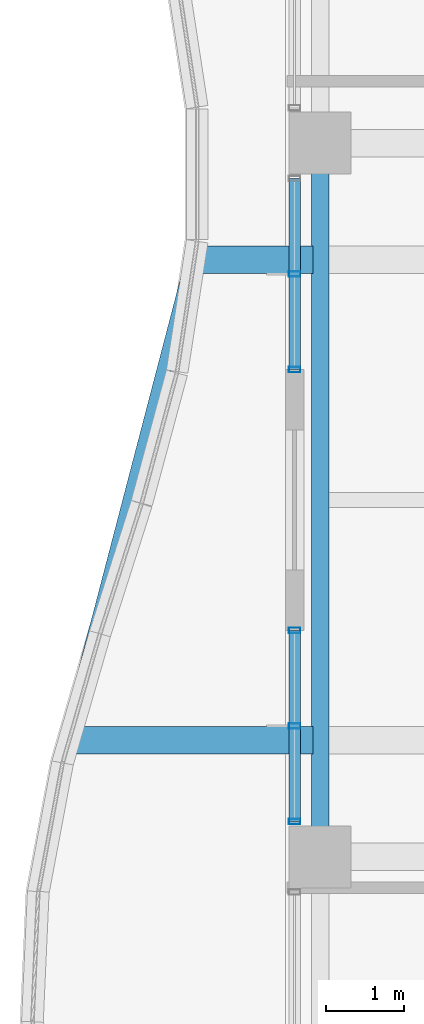
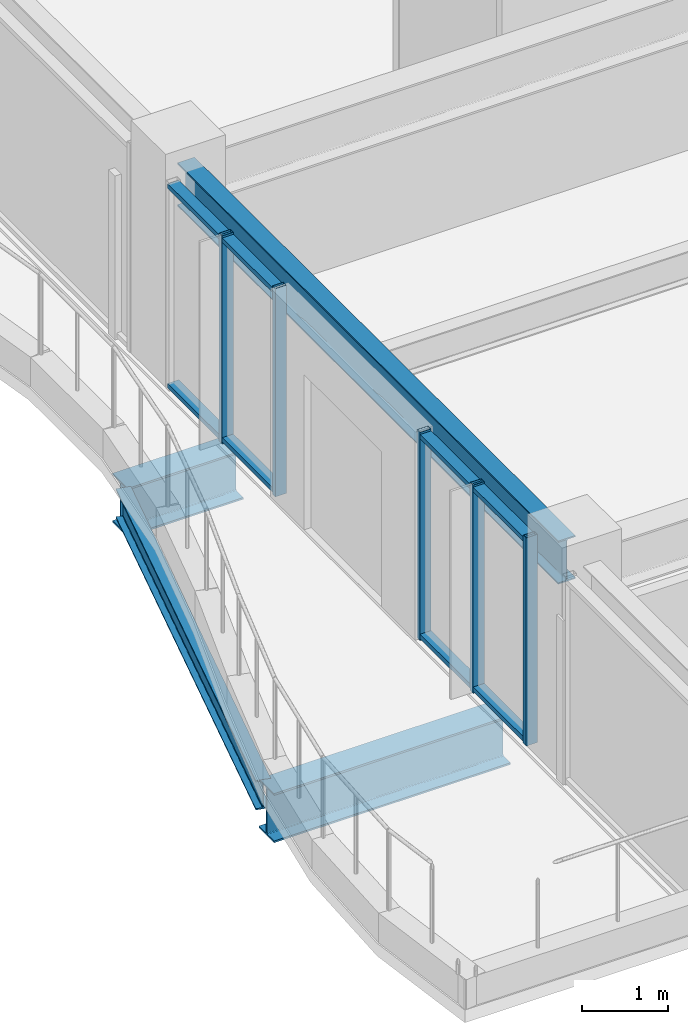
# One storey, part 6 of 34: 9 members, 4 beams, 2 elements without a shape of their own.
"""IFC4 building model written with IfcOpenShell, lengths in metres."""

from ifc_helpers import new_model, si_unit, direction, frame, origin, origin_2d, place, context, subcontext, project, spatial, hollow_rectangle, i_section, extrude, material, material_profile, profile_set, type_object, element, aggregate, save


model = new_model("IFC4")

# Units and contexts
model_context = context("Model", 3, precision=1e-05, world=origin(), true_north=direction((0.0, 1.0)))
body_context = subcontext(model_context, "Body", "Model", "MODEL_VIEW")
ifc_project = project(units=[si_unit("LENGTHUNIT", "METRE"), si_unit("AREAUNIT", "SQUARE_METRE"), si_unit("VOLUMEUNIT", "CUBIC_METRE"), si_unit("PLANEANGLEUNIT", "RADIAN"), si_unit("MASSUNIT", "GRAM", prefix="KILO")], contexts=[model_context])

# Site, building, storey
site_placement = place(None, origin())
site = spatial("IfcSite", under=ifc_project, at=site_placement, CompositionType="ELEMENT")
building_placement = place(site_placement, origin())
building = spatial("IfcBuilding", under=site, at=building_placement, Name="Kolvaren Belvedere", CompositionType="ELEMENT")
storey_placement = place(building_placement, frame((0.0, 0.0, 229.5)))
storey = spatial("IfcBuildingStorey", under=building, at=storey_placement, Name="L67", CompositionType="ELEMENT", Elevation=229.5)

# Beams
ifc_material_1 = material(Name="Structural steel ASTM A992 Grade 50", Category="steel")
ifc_material_profile_1 = material_profile(ifc_material_1, i_section(OverallWidth=0.35498046875, OverallDepth=0.696044921875, WebThickness=0.015380859375, FlangeThickness=0.02490234375, FilletRadius=0.02197265625, at=origin_2d()), Name="W27X146")
ifc_profile_set_1 = profile_set([ifc_material_profile_1], Name="Structural steel ASTM A992 Grade 50")
beam_type_1 = type_object("IfcBeamType", Name="BM-CANT-BAL", PredefinedType="BEAM", material=ifc_profile_set_1)
beam_1_placement = place(storey_placement, frame((-20.044921875, -3.10009765625, -0.568115234375), z_axis=(-1.0, 0.0, 0.0), x_axis=(0.0, -1.0, 0.0)))
element("IfcBeam", 1, at=beam_1_placement, inside=storey, type_object=beam_type_1, Name="L67 Planted Balcony Cantilever BAL-W-1", PredefinedType="BEAM", context=body_context, shape_type="SweptSolid", body=[
    extrude(i_section(OverallWidth=0.35498046875, OverallDepth=0.696044921875, WebThickness=0.015380859375, FlangeThickness=0.02490234375, FilletRadius=0.02197265625, at=origin_2d()), origin(), (0.0, 0.0, 1.0), 3.168212890625),
])
beam_2_placement = place(storey_placement, frame((-20.044921875, 3.10009765625, -0.568115234375), z_axis=(-1.0, 0.0, 0.0), x_axis=(0.0, -1.0, 0.0)))
element("IfcBeam", 2, at=beam_2_placement, inside=storey, type_object=beam_type_1, Name="L67 Planted Balcony Cantilever BAL-W-2", PredefinedType="BEAM", context=body_context, shape_type="SweptSolid", body=[
    extrude(i_section(OverallWidth=0.35498046875, OverallDepth=0.696044921875, WebThickness=0.015380859375, FlangeThickness=0.02490234375, FilletRadius=0.02197265625, at=origin_2d()), origin(), (0.0, 0.0, 1.0), 1.549072265625),
])
ifc_material_2 = material(Name="Structural steel ASTM A992 Grade 50", Category="steel")
ifc_material_profile_2 = material_profile(ifc_material_2, i_section(OverallWidth=0.180908203125, OverallDepth=0.4169921875, WebThickness=0.010986328125, FlangeThickness=0.018310546875, FilletRadius=0.013916015625, at=origin_2d()), Name="W16X57")
ifc_profile_set_2 = profile_set([ifc_material_profile_2], Name="Structural steel ASTM A992 Grade 50")
beam_type_2 = type_object("IfcBeamType", Name="BM-EDGE-W16X57", PredefinedType="BEAM", material=ifc_profile_set_2)
beam_3_placement = place(storey_placement, frame((-23.177734375, -2.964599609375, -0.428466796875), z_axis=(0.25266515985, 0.9675537799, 0.0), x_axis=(-0.9675537799, 0.25266515985, 0.0)))
element("IfcBeam", 3, at=beam_3_placement, inside=storey, type_object=beam_type_2, Name="L67 Balcony Tip Header Beam BAL-W", PredefinedType="BEAM", context=body_context, shape_type="SweptSolid", body=[
    extrude(i_section(OverallWidth=0.180908203125, OverallDepth=0.4169921875, WebThickness=0.010986328125, FlangeThickness=0.018310546875, FilletRadius=0.013916015625, at=origin_2d()), origin(), (0.0, 0.0, 1.0), 6.1279296875),
])
ifc_material_3 = material(Name="Structural steel ASTM A992 Grade 50", Category="steel")
ifc_material_profile_3 = material_profile(ifc_material_3, i_section(OverallWidth=0.22900390625, OverallDepth=0.612060546875, WebThickness=0.011962890625, FlangeThickness=0.01953125, FilletRadius=0.01806640625, at=origin_2d()), Name="W24X84")
ifc_profile_set_3 = profile_set([ifc_material_profile_3], Name="Structural steel ASTM A992 Grade 50")
beam_type_3 = type_object("IfcBeamType", Name="BM-SPAN-W24X84", PredefinedType="SPANDREL", material=ifc_profile_set_3)
beam_4_placement = place(storey_placement, frame((-19.949951171875, 4.419921875, 2.64404296875), z_axis=(0.0, -1.0, 0.0), x_axis=(1.0, 0.0, 0.0)))
element("IfcBeam", 4, at=beam_4_placement, inside=storey, type_object=beam_type_3, Name="L67 Perimeter Spandrel W3-W2", PredefinedType="SPANDREL", context=body_context, shape_type="SweptSolid", body=[
    extrude(i_section(OverallWidth=0.22900390625, OverallDepth=0.612060546875, WebThickness=0.011962890625, FlangeThickness=0.01953125, FilletRadius=0.01806640625, at=origin_2d()), origin(), (0.0, 0.0, 1.0), 8.83984375),
])

# Curtain wall, members
ifc_material_4 = material(Name="Anodised pale-metal aluminium AA 6063-T6", Category="aluminium")
curtain_wall_type = type_object("IfcCurtainWallType", Name="CW-Z5-HIGH", PredefinedType="NOTDEFINED", material=ifc_material_4)
curtain_wall_1_placement = place(storey_placement, origin())
curtain_wall_1 = element("IfcCurtainWall", 5, at=curtain_wall_1_placement, inside=storey, type_object=curtain_wall_type, Name="L67 Unitised Curtain Wall FCW-L67-W1-B2", PredefinedType="NOTDEFINED")
ifc_material_5 = material(Name="Anodised pale-metal aluminium AA 6063-T6", Category="aluminium")
ifc_material_profile_4 = material_profile(ifc_material_5, hollow_rectangle(XDim=0.070068359375, YDim=0.14990234375, WallThickness=0.004150390625, at=origin_2d()), Name="ALU-MUL-150X70")
ifc_profile_set_4 = profile_set([ifc_material_profile_4], Name="Anodised pale-metal aluminium AA 6063-T6")
member_type_1 = type_object("IfcMemberType", Name="CW-MUL-150", PredefinedType="MULLION", material=ifc_profile_set_4)
member_1_placement = place(storey_placement, frame((-20.280029296875, -4.14501953125, 0.0), z_axis=(0.0, 0.0, 1.0), x_axis=(0.0, 1.0, 0.0)))
member_1 = element("IfcMember", 6, at=member_1_placement, type_object=member_type_1, Name="FCW-L67-W1-B2 Unitised Mullion 1", PredefinedType="MULLION", context=body_context, shape_type="SweptSolid", body=[
    extrude(hollow_rectangle(XDim=0.070068359375, YDim=0.14990234375, WallThickness=0.004150390625, at=origin_2d()), origin(), (0.0, 0.0, 1.0), 2.949951171875),
])
member_2_placement = place(storey_placement, frame((-20.280029296875, -2.91259765625, 0.0), z_axis=(0.0, 0.0, 1.0), x_axis=(0.0, 1.0, 0.0)))
member_2 = element("IfcMember", 7, at=member_2_placement, type_object=member_type_1, Name="FCW-L67-W1-B2 Unitised Mullion 2", PredefinedType="MULLION", context=body_context, shape_type="SweptSolid", body=[
    extrude(hollow_rectangle(XDim=0.070068359375, YDim=0.14990234375, WallThickness=0.004150390625, at=origin_2d()), origin(), (0.0, 0.0, 1.0), 2.949951171875),
])
member_3_placement = place(storey_placement, frame((-20.280029296875, -1.679931640625, 0.0), z_axis=(0.0, 0.0, 1.0), x_axis=(0.0, 1.0, 0.0)))
member_3 = element("IfcMember", 8, at=member_3_placement, type_object=member_type_1, Name="FCW-L67-W1-B2 Unitised Mullion 3", PredefinedType="MULLION", context=body_context, shape_type="SweptSolid", body=[
    extrude(hollow_rectangle(XDim=0.070068359375, YDim=0.14990234375, WallThickness=0.004150390625, at=origin_2d()), origin(), (0.0, 0.0, 1.0), 2.949951171875),
])

curtain_wall_2_placement = place(storey_placement, origin())
curtain_wall_2 = element("IfcCurtainWall", 9, at=curtain_wall_2_placement, inside=storey, type_object=curtain_wall_type, Name="L67 Unitised Curtain Wall FCW-L67-W2-B1", PredefinedType="NOTDEFINED")
member_4_placement = place(storey_placement, frame((-20.280029296875, 1.679931640625, 0.0), z_axis=(0.0, 0.0, 1.0), x_axis=(0.0, 1.0, 0.0)))
member_4 = element("IfcMember", 10, at=member_4_placement, type_object=member_type_1, Name="FCW-L67-W2-B1 Unitised Mullion 1", PredefinedType="MULLION", context=body_context, shape_type="SweptSolid", body=[
    extrude(hollow_rectangle(XDim=0.070068359375, YDim=0.14990234375, WallThickness=0.004150390625, at=origin_2d()), origin(), (0.0, 0.0, 1.0), 2.949951171875),
])
member_5_placement = place(storey_placement, frame((-20.280029296875, 2.91259765625, 0.0), z_axis=(0.0, 0.0, 1.0), x_axis=(0.0, 1.0, 0.0)))
member_5 = element("IfcMember", 11, at=member_5_placement, type_object=member_type_1, Name="FCW-L67-W2-B1 Unitised Mullion 2", PredefinedType="MULLION", context=body_context, shape_type="SweptSolid", body=[
    extrude(hollow_rectangle(XDim=0.070068359375, YDim=0.14990234375, WallThickness=0.004150390625, at=origin_2d()), origin(), (0.0, 0.0, 1.0), 2.949951171875),
])

# Member
ifc_material_6 = material(Name="Anodised pale-metal aluminium AA 6063-T6", Category="aluminium")
ifc_material_profile_5 = material_profile(ifc_material_6, hollow_rectangle(XDim=0.06494140625, YDim=0.14990234375, WallThickness=0.00390625, at=origin_2d()), Name="ALU-TRN-150X65")
ifc_profile_set_5 = profile_set([ifc_material_profile_5], Name="Anodised pale-metal aluminium AA 6063-T6")
member_type_2 = type_object("IfcMemberType", Name="CW-TRN-150", PredefinedType="USERDEFINED", material=ifc_profile_set_5)
member_6_placement = place(storey_placement, frame((-20.280029296875, -4.14501953125, 0.06005859375), z_axis=(0.0, 1.0, 0.0), x_axis=(0.0, 0.0, 1.0)))
member_6 = element("IfcMember", 12, at=member_6_placement, type_object=member_type_2, Name="FCW-L67-W1-B2 Sill Transom", ObjectType="TRANSOM", PredefinedType="USERDEFINED", context=body_context, shape_type="SweptSolid", body=[
    extrude(hollow_rectangle(XDim=0.06494140625, YDim=0.14990234375, WallThickness=0.00390625, at=origin_2d()), origin(), (0.0, 0.0, 1.0), 2.465087890625),
])

member_7_placement = place(storey_placement, frame((-20.280029296875, -4.14501953125, 2.889892578125), z_axis=(0.0, 1.0, 0.0), x_axis=(0.0, 0.0, 1.0)))
member_7 = element("IfcMember", 13, at=member_7_placement, type_object=member_type_2, Name="FCW-L67-W1-B2 Head Transom", ObjectType="TRANSOM", PredefinedType="USERDEFINED", context=body_context, shape_type="SweptSolid", body=[
    extrude(hollow_rectangle(XDim=0.06494140625, YDim=0.14990234375, WallThickness=0.00390625, at=origin_2d()), origin(), (0.0, 0.0, 1.0), 2.465087890625),
])

aggregate(curtain_wall_1, [member_1, member_2, member_3, member_6, member_7])

member_8_placement = place(storey_placement, frame((-20.280029296875, 1.679931640625, 0.06005859375), z_axis=(0.0, 1.0, 0.0), x_axis=(0.0, 0.0, 1.0)))
member_8 = element("IfcMember", 14, at=member_8_placement, type_object=member_type_2, Name="FCW-L67-W2-B1 Sill Transom", ObjectType="TRANSOM", PredefinedType="USERDEFINED", context=body_context, shape_type="SweptSolid", body=[
    extrude(hollow_rectangle(XDim=0.06494140625, YDim=0.14990234375, WallThickness=0.00390625, at=origin_2d()), origin(), (0.0, 0.0, 1.0), 2.465087890625),
])

member_9_placement = place(storey_placement, frame((-20.280029296875, 1.679931640625, 2.889892578125), z_axis=(0.0, 1.0, 0.0), x_axis=(0.0, 0.0, 1.0)))
member_9 = element("IfcMember", 15, at=member_9_placement, type_object=member_type_2, Name="FCW-L67-W2-B1 Head Transom", ObjectType="TRANSOM", PredefinedType="USERDEFINED", context=body_context, shape_type="SweptSolid", body=[
    extrude(hollow_rectangle(XDim=0.06494140625, YDim=0.14990234375, WallThickness=0.00390625, at=origin_2d()), origin(), (0.0, 0.0, 1.0), 2.465087890625),
])

aggregate(curtain_wall_2, [member_4, member_5, member_8, member_9])

save(model, "model.ifc")
